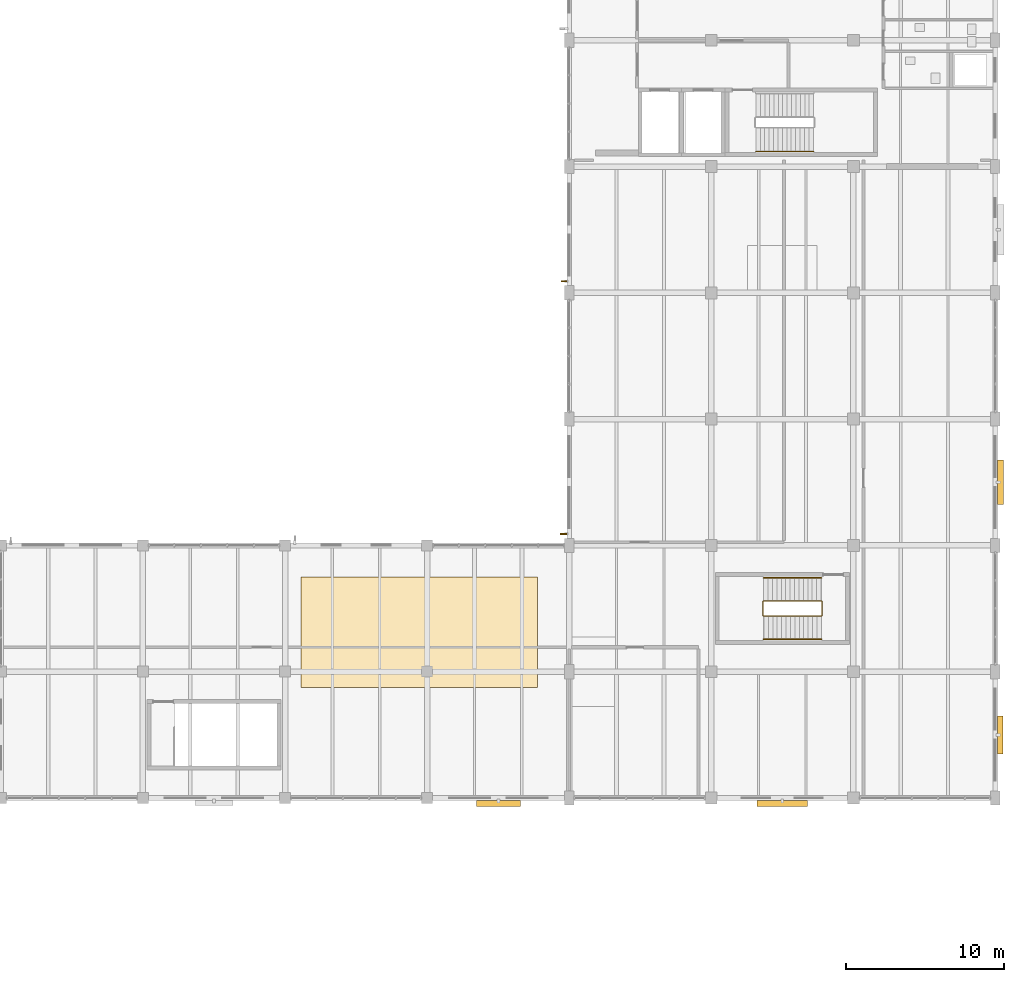
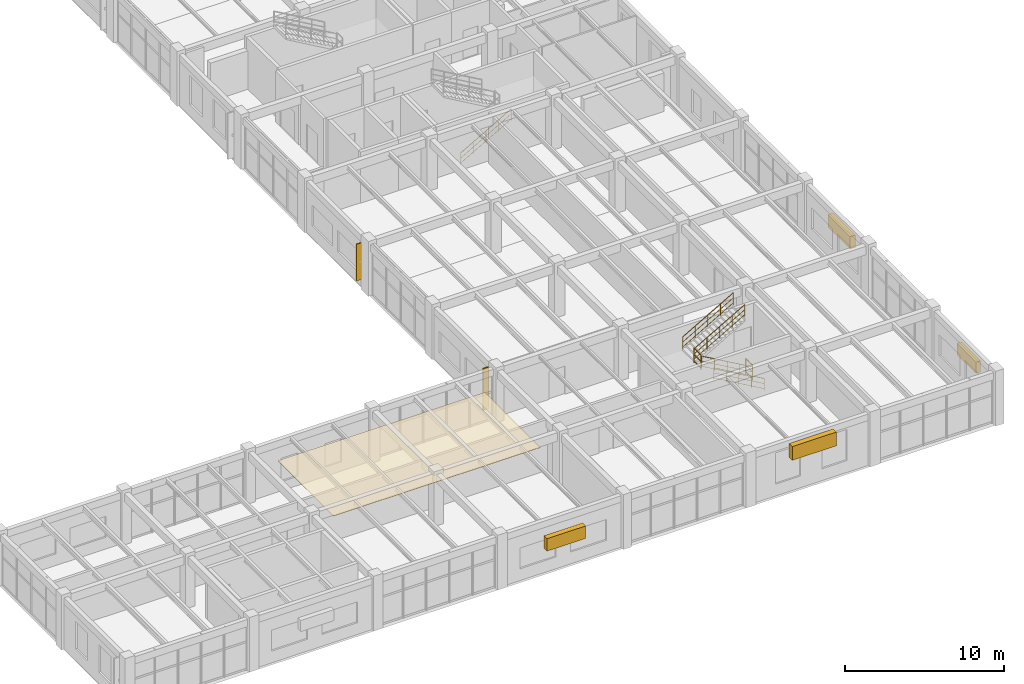
# One storey, part 125 of 128: 7 railings, 6 shading devices, 1 covering.
"""IFC4 building model written with IfcOpenShell, lengths in metres."""

from ifc_helpers import new_model, si_unit, derived_unit, direction, frame, origin, origin_2d, place, context, subcontext, project, spatial, polyline, rectangle, circle, outline, extrude, material, layer, layer_set, type_object, element, save


model = new_model("IFC4")

# Units and contexts
model_context = context("Model", 3, precision=1e-05, world=origin(), true_north=direction((0.0, 1.0)))
body_context = subcontext(model_context, "Body", "Model", "MODEL_VIEW")
ifc_project = project(units=[si_unit("LENGTHUNIT", "METRE"), si_unit("AREAUNIT", "SQUARE_METRE"), si_unit("VOLUMEUNIT", "CUBIC_METRE"), si_unit("PLANEANGLEUNIT", "RADIAN"), si_unit("MASSUNIT", "GRAM", prefix="KILO"), derived_unit("THERMALTRANSMITTANCEUNIT", [(si_unit("MASSUNIT", "GRAM", prefix="KILO"), 1), (si_unit("TIMEUNIT", "SECOND"), -3), (si_unit("THERMODYNAMICTEMPERATUREUNIT", "KELVIN"), -1)])], contexts=[model_context])

# Site, building, storey
site_placement = place(None, origin())
site = spatial("IfcSite", under=ifc_project, at=site_placement, CompositionType="ELEMENT")
building_placement = place(site_placement, origin())
building = spatial("IfcBuilding", under=site, at=building_placement, Name="Zhenchuan Archway Interchange", CompositionType="ELEMENT")
storey_placement = place(building_placement, frame((0.0, 0.0, 14.39990234375)))
storey = spatial("IfcBuildingStorey", under=building, at=storey_placement, Name="L03", CompositionType="ELEMENT", Elevation=14.39990234375)

# Covering
ifc_material_1 = material(Name="Anodised Aluminium", Category="aluminium")
ifc_layer = layer(ifc_material_1, 0.02490234375)
ifc_layer_set = layer_set([ifc_layer], Name="Anodised Aluminium")
covering_type = type_object("IfcCoveringType", Name="COV_CLG_ACOUSTIC", PredefinedType="CEILING", material=ifc_layer_set)
covering_placement = place(storey_placement, frame((0.0, 0.0, 3.875)))
element("IfcCovering", 1, at=covering_placement, inside=storey, type_object=covering_type, Name="Suspended acoustic ceiling grid 05 (L03)", PredefinedType="CEILING", context=body_context, shape_type="SweptSolid", body=[
    extrude(outline(polyline([(127.0, 15.0), (142.0, 15.0), (142.0, 22.0), (127.0, 22.0), (127.0, 15.0)])), origin(), (0.0, 0.0, 1.0), 0.025146484375),
])

# Railings
ifc_material_2 = material(Name="Painted Galvanised Steel", Category="steel")
railing_type_1 = type_object("IfcRailingType", Name="RL_GUARD_1150", PredefinedType="GUARDRAIL", material=ifc_material_2)
for number, where, name in (
    (2, (156.27490234375, 19.56494140625, 2.10009765625), "Stair ST-O4 half-landing slot guard (L03)"),
    (3, (160.014892578125, 19.56494140625, 0.0), "Stair ST-O4 floor well guard (L03)"),
):
    element("IfcRailing", number, at=place(storey_placement, frame(where)), inside=storey, type_object=railing_type_1, Name=name, PredefinedType="GUARDRAIL", context=body_context, shape_type="SweptSolid", body=[
        extrude(circle(Radius=0.02392578125, at=origin_2d()), frame((0.0, 0.0, 1.1259765625), z_axis=(0.0, 1.0, 0.0), x_axis=(-1.0, 0.0, 0.0)), (0.0, 0.0, 1.0), 0.8701171875),
        extrude(circle(Radius=0.01611328125, at=origin_2d()), frame((0.0, 0.0, 0.63232421875), z_axis=(0.0, 1.0, 0.0), x_axis=(-1.0, 0.0, 0.0)), (0.0, 0.0, 1.0), 0.8701171875),
        extrude(circle(Radius=0.01611328125, at=origin_2d()), frame((0.0, 0.0, 0.1201171875), z_axis=(0.0, 1.0, 0.0), x_axis=(-1.0, 0.0, 0.0)), (0.0, 0.0, 1.0), 0.8701171875),
        extrude(circle(Radius=0.02099609375, at=origin_2d()), origin(), (0.0, 0.0, 1.0), 1.1259765625),
        extrude(circle(Radius=0.02099609375, at=origin_2d()), frame((0.0, 0.8701171875, 0.0)), (0.0, 0.0, 1.0), 1.1259765625),
    ])
ifc_material_3 = material(Name="Stainless Steel 304", Category="steel")
railing_type_2 = type_object("IfcRailingType", Name="RL_HAND_920", PredefinedType="HANDRAIL", material=ifc_material_3)
railing_placement = place(storey_placement, frame((155.824951171875, 48.955078125, 0.150146484375)))
element("IfcRailing", 4, at=railing_placement, inside=storey, type_object=railing_type_2, Name="Stair ST-O2 handrail 1 (L03)", PredefinedType="HANDRAIL", context=body_context, shape_type="SweptSolid", body=[
    extrude(circle(Radius=0.02392578125, at=origin_2d()), frame((0.0, 0.0, 0.89599609375), z_axis=(0.867390923327, 0.0, 0.497627356693), x_axis=(0.0, 1.0, 0.0)), (0.0, 0.0, 1.0), 4.2197265625),
    extrude(circle(Radius=0.01611328125, at=origin_2d()), frame((0.0, 0.0, 0.505859375), z_axis=(0.867390923327, 0.0, 0.497627356693), x_axis=(0.0, 1.0, 0.0)), (0.0, 0.0, 1.0), 4.2197265625),
    extrude(circle(Radius=0.01611328125, at=origin_2d()), frame((0.0, 0.0, 0.1201171875), z_axis=(0.867390923327, 0.0, 0.497627356693), x_axis=(0.0, 1.0, 0.0)), (0.0, 0.0, 1.0), 4.2197265625),
    extrude(circle(Radius=0.02099609375, at=origin_2d()), origin(), (0.0, 0.0, 1.0), 0.89599609375),
    extrude(circle(Radius=0.02099609375, at=origin_2d()), frame((0.9150390625, 0.0, 0.52490234375)), (0.0, 0.0, 1.0), 0.89599609375),
    extrude(circle(Radius=0.02099609375, at=origin_2d()), frame((1.830078125, 0.0, 1.0498046875)), (0.0, 0.0, 1.0), 0.89599609375),
    extrude(circle(Radius=0.02099609375, at=origin_2d()), frame((2.7451171875, 0.0, 1.574951171875)), (0.0, 0.0, 1.0), 0.89599609375),
    extrude(circle(Radius=0.02099609375, at=origin_2d()), frame((3.66015625, 0.0, 2.099853515625)), (0.0, 0.0, 1.0), 0.89599609375),
])
for number, where, name in (
    (5, (159.97509765625, 18.054931640625, 0.150146484375), "Stair ST-O4 handrail 1 (L03)"),
    (6, (159.97509765625, 19.52490234375, 0.150146484375), "Stair ST-O4 handrail 2 (L03)"),
):
    element("IfcRailing", number, at=place(storey_placement, frame(where)), inside=storey, type_object=railing_type_2, Name=name, PredefinedType="HANDRAIL", context=body_context, shape_type="SweptSolid", body=[
        extrude(circle(Radius=0.02392578125, at=origin_2d()), frame((0.0, 0.0, 0.89599609375), z_axis=(-0.867390923327, 0.0, 0.497627356693), x_axis=(0.0, -1.0, 0.0)), (0.0, 0.0, 1.0), 4.2197265625),
        extrude(circle(Radius=0.01611328125, at=origin_2d()), frame((0.0, 0.0, 0.505859375), z_axis=(-0.867390923327, 0.0, 0.497627356693), x_axis=(0.0, -1.0, 0.0)), (0.0, 0.0, 1.0), 4.2197265625),
        extrude(circle(Radius=0.01611328125, at=origin_2d()), frame((0.0, 0.0, 0.1201171875), z_axis=(-0.867390923327, 0.0, 0.497627356693), x_axis=(0.0, -1.0, 0.0)), (0.0, 0.0, 1.0), 4.2197265625),
        extrude(circle(Radius=0.02099609375, at=origin_2d()), origin(), (0.0, 0.0, 1.0), 0.89599609375),
        extrude(circle(Radius=0.02099609375, at=origin_2d()), frame((-0.9150390625, 0.0, 0.52490234375)), (0.0, 0.0, 1.0), 0.89599609375),
        extrude(circle(Radius=0.02099609375, at=origin_2d()), frame((-1.830078125, 0.0, 1.0498046875)), (0.0, 0.0, 1.0), 0.89599609375),
        extrude(circle(Radius=0.02099609375, at=origin_2d()), frame((-2.7451171875, 0.0, 1.574951171875)), (0.0, 0.0, 1.0), 0.89599609375),
        extrude(circle(Radius=0.02099609375, at=origin_2d()), frame((-3.66015625, 0.0, 2.099853515625)), (0.0, 0.0, 1.0), 0.89599609375),
    ])
for number, where, name in (
    (7, (156.31494140625, 20.47509765625, 2.25), "Stair ST-O4 handrail 3 (L03)"),
    (8, (156.31494140625, 21.945068359375, 2.25), "Stair ST-O4 handrail 4 (L03)"),
):
    element("IfcRailing", number, at=place(storey_placement, frame(where)), inside=storey, type_object=railing_type_2, Name=name, PredefinedType="HANDRAIL", context=body_context, shape_type="SweptSolid", body=[
        extrude(circle(Radius=0.02392578125, at=origin_2d()), frame((0.0, 0.0, 0.89599609375), z_axis=(0.867365949741, 0.0, 0.49767088445), x_axis=(0.0, 1.0, 0.0)), (0.0, 0.0, 1.0), 4.219970703125),
        extrude(circle(Radius=0.01611328125, at=origin_2d()), frame((0.0, 0.0, 0.505859375), z_axis=(0.867365949741, 0.0, 0.49767088445), x_axis=(0.0, 1.0, 0.0)), (0.0, 0.0, 1.0), 4.219970703125),
        extrude(circle(Radius=0.01611328125, at=origin_2d()), frame((0.0, 0.0, 0.1201171875), z_axis=(0.867365949741, 0.0, 0.49767088445), x_axis=(0.0, 1.0, 0.0)), (0.0, 0.0, 1.0), 4.219970703125),
        extrude(circle(Radius=0.02099609375, at=origin_2d()), origin(), (0.0, 0.0, 1.0), 0.89599609375),
        extrude(circle(Radius=0.02099609375, at=origin_2d()), frame((0.9150390625, 0.0, 0.52490234375)), (0.0, 0.0, 1.0), 0.89599609375),
        extrude(circle(Radius=0.02099609375, at=origin_2d()), frame((1.830078125, 0.0, 1.050048828125)), (0.0, 0.0, 1.0), 0.89599609375),
        extrude(circle(Radius=0.02099609375, at=origin_2d()), frame((2.7451171875, 0.0, 1.5751953125)), (0.0, 0.0, 1.0), 0.89599609375),
        extrude(circle(Radius=0.02099609375, at=origin_2d()), frame((3.66015625, 0.0, 2.10009765625)), (0.0, 0.0, 1.0), 0.89599609375),
    ])

# Shading devices
ifc_material_4 = material(Name="Terracotta Ceramic", Category="masonry")
shading_device_type_1 = type_object("IfcShadingDeviceType", Name="SHD_FIN_1", PredefinedType="USERDEFINED", material=ifc_material_4)
shading_device_1_placement = place(storey_placement, frame((143.64599609375, 24.72802734375, 0.3603515625), z_axis=(0.0, 0.0, 1.0), x_axis=(0.0, 1.0, 0.0)))
element("IfcShadingDevice", 9, at=shading_device_1_placement, inside=storey, type_object=shading_device_type_1, Name="Terracotta vertical solar fin L03-105", ObjectType="FINS", PredefinedType="USERDEFINED", context=body_context, shape_type="SweptSolid", body=[
    extrude(rectangle(XDim=0.090087890625, YDim=0.419921875, at=origin_2d()), origin(), (0.0, 0.0, 1.0), 3.199951171875),
])
shading_device_type_2 = type_object("IfcShadingDeviceType", Name="SHD_FIN_2", PredefinedType="USERDEFINED", material=ifc_material_4)
shading_device_2_placement = place(storey_placement, frame((143.676025390625, 40.72802734375, 0.56005859375), z_axis=(0.0, 0.0, 1.0), x_axis=(0.0, 1.0, 0.0)))
element("IfcShadingDevice", 10, at=shading_device_2_placement, inside=storey, type_object=shading_device_type_2, Name="Terracotta vertical solar fin L03-106", ObjectType="FINS", PredefinedType="USERDEFINED", context=body_context, shape_type="SweptSolid", body=[
    extrude(rectangle(XDim=0.080078125, YDim=0.360107421875, at=origin_2d()), origin(), (0.0, 0.0, 1.0), 2.800048828125),
])
shading_device_type_3 = type_object("IfcShadingDeviceType", Name="SHD_LOUVRE_1", PredefinedType="JALOUSIE", material=ifc_material_1)
for number, where, z_axis, x_axis, name in (
    (11, (171.333984375, 28.0, 1.875), (0.0, 0.0, 1.0), (0.0, -1.0, 0.0), "Monsoon storm-louvre jalousie L03-120"),
    (12, (139.52490234375, 7.666015625, 1.875), (0.0, 0.0, 1.0), (-1.0, 0.0, 0.0), "Monsoon storm-louvre jalousie L03-123"),
):
    element("IfcShadingDevice", number, at=place(storey_placement, frame(where, z_axis=z_axis, x_axis=x_axis)), inside=storey, type_object=shading_device_type_3, Name=name, PredefinedType="JALOUSIE", context=body_context, shape_type="SweptSolid", body=[
        extrude(rectangle(XDim=2.800048828125, YDim=0.3798828125, at=origin_2d()), origin(), (0.0, 0.0, 1.0), 0.949951171875),
    ])
shading_device_type_4 = type_object("IfcShadingDeviceType", Name="SHD_LOUVRE_2", PredefinedType="JALOUSIE", material=ifc_material_1)
shading_device_3_placement = place(storey_placement, frame((171.31396484375, 12.0, 1.925048828125), z_axis=(0.0, 0.0, 1.0), x_axis=(0.0, -1.0, 0.0)))
element("IfcShadingDevice", 13, at=shading_device_3_placement, inside=storey, type_object=shading_device_type_4, Name="Monsoon storm-louvre jalousie L03-121", PredefinedType="JALOUSIE", context=body_context, shape_type="SweptSolid", body=[
    extrude(rectangle(XDim=2.39990234375, YDim=0.340087890625, at=origin_2d()), origin(), (0.0, 0.0, 1.0), 0.85009765625),
])
shading_device_type_5 = type_object("IfcShadingDeviceType", Name="SHD_LOUVRE_3", PredefinedType="JALOUSIE", material=ifc_material_1)
shading_device_4_placement = place(storey_placement, frame((157.5, 7.656005859375, 2.625), z_axis=(0.0, 0.0, 1.0), x_axis=(-1.0, 0.0, 0.0)))
element("IfcShadingDevice", 14, at=shading_device_4_placement, inside=storey, type_object=shading_device_type_5, Name="Monsoon storm-louvre jalousie L03-122", PredefinedType="JALOUSIE", context=body_context, shape_type="SweptSolid", body=[
    extrude(rectangle(XDim=3.199951171875, YDim=0.39990234375, at=origin_2d()), origin(), (0.0, 0.0, 1.0), 1.050048828125),
])

save(model, "model.ifc")
